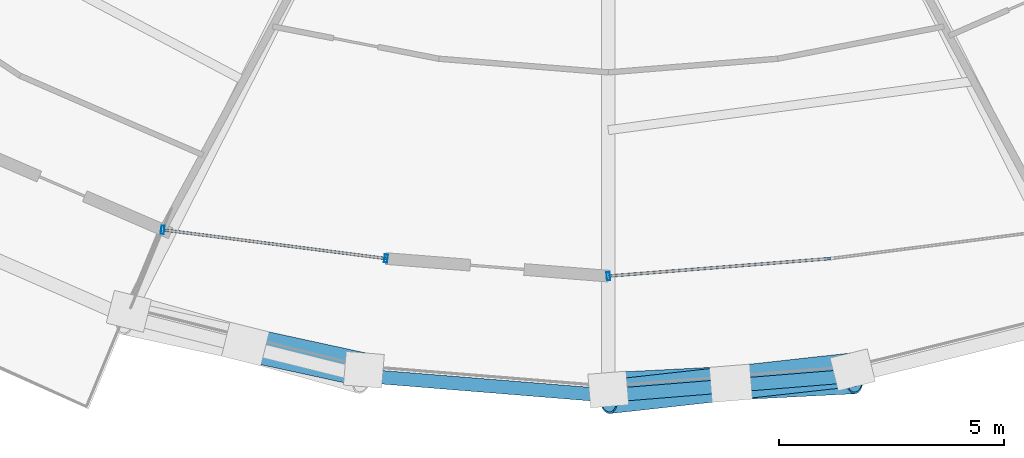
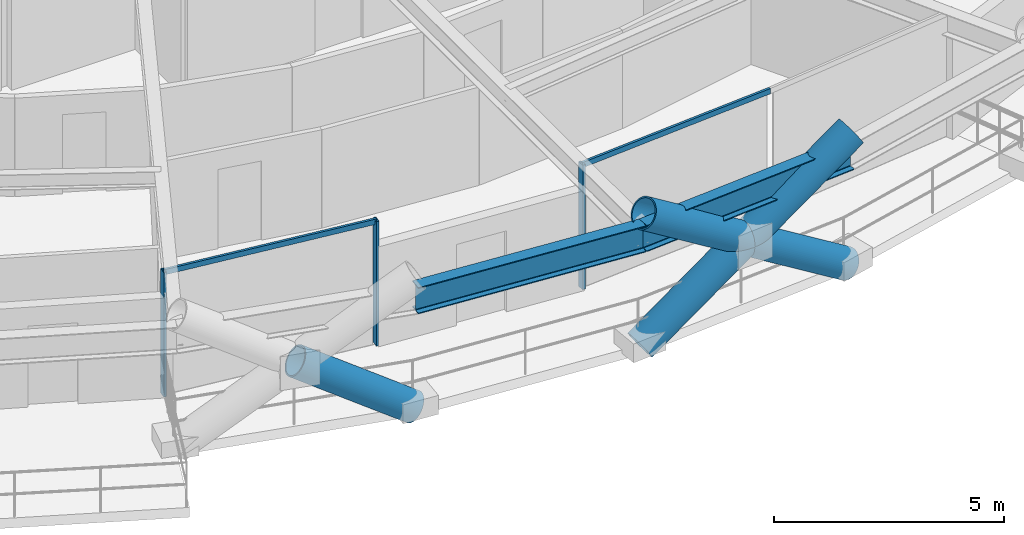
# One storey, part 2 of 13: 9 members, 2 beams, 2 elements without a shape of their own.
"""IFC4 building model written with IfcOpenShell, lengths in metres."""

from ifc_helpers import new_model, si_unit, direction, frame, origin, origin_2d, place, context, subcontext, project, spatial, hollow_rectangle, hollow_circle, i_section, extrude, material, layer, layer_set, material_profile, profile_set, type_object, element, aggregate, save


model = new_model("IFC4")

# Units and contexts
model_context = context("Model", 3, precision=1e-05, world=origin(), true_north=direction((0.0, 1.0)))
body_context = subcontext(model_context, "Body", "Model", "MODEL_VIEW")
ifc_project = project(units=[si_unit("LENGTHUNIT", "METRE"), si_unit("AREAUNIT", "SQUARE_METRE"), si_unit("VOLUMEUNIT", "CUBIC_METRE"), si_unit("PLANEANGLEUNIT", "RADIAN"), si_unit("MASSUNIT", "GRAM", prefix="KILO")], contexts=[model_context])

# Site, building, storey
site_placement = place(None, origin())
site = spatial("IfcSite", under=ifc_project, at=site_placement, CompositionType="ELEMENT")
building_placement = place(site_placement, origin())
building = spatial("IfcBuilding", under=site, at=building_placement, Name="Veldorina Hangang Commons", CompositionType="ELEMENT")
storey_placement = place(building_placement, frame((0.0, 0.0, 37.60009765625)))
storey = spatial("IfcBuildingStorey", under=building, at=storey_placement, Name="L08", CompositionType="ELEMENT", Elevation=37.60009765625)

# Beams
ifc_material_1 = material(Name="Steel SM460-TMC", Category="steel")
ifc_material_profile_1 = material_profile(ifc_material_1, i_section(OverallWidth=0.300048828125, OverallDepth=0.699951171875, WebThickness=0.012939453125, FlangeThickness=0.02392578125, FilletRadius=0.02197265625, at=origin_2d()), Name="H-700x300x13x24")
ifc_profile_set_1 = profile_set([ifc_material_profile_1], Name="Steel SM460-TMC")
beam_type = type_object("IfcBeamType", Name="BM-RB700", PredefinedType="BEAM", material=ifc_profile_set_1)
for number, where, z_axis, x_axis, name in (
    (1, (26.543701171875, 1.473388671875, 2.989990234375), (0.996743693077, -0.080635043943, 0.0), (0.080635043943, 0.996743693077, 0.0), "L08 perimeter hoop ring beam 23"),
    (2, (32.0, 1.031982421875, 2.989990234375), (0.996743693077, 0.080635043943, 0.0), (-0.080635043943, 0.996743693077, 0.0), "L08 perimeter hoop ring beam 24"),
):
    element("IfcBeam", number, at=place(storey_placement, frame(where, z_axis=z_axis, x_axis=x_axis)), inside=storey, type_object=beam_type, Name=name, PredefinedType="BEAM", context=body_context, shape_type="SweptSolid", body=[
        extrude(i_section(OverallWidth=0.300048828125, OverallDepth=0.699951171875, WebThickness=0.012939453125, FlangeThickness=0.02392578125, FilletRadius=0.02197265625, at=origin_2d()), origin(), (0.0, 0.0, 1.0), 5.47412109375),
    ])

# Curtain wall, members
ifc_material_2 = material(Name="Glass Low-E Triple IGU", Category="glass")
ifc_layer = layer(ifc_material_2, 0.179931640625)
ifc_layer_set = layer_set([ifc_layer], Name="Glass Low-E Triple IGU")
curtain_wall_type = type_object("IfcCurtainWallType", Name="CW-SYS-Z1", PredefinedType="NOTDEFINED", material=ifc_layer_set)
curtain_wall_1_placement = place(storey_placement, origin())
curtain_wall_1 = element("IfcCurtainWall", 3, at=curtain_wall_1_placement, inside=storey, type_object=curtain_wall_type, Name="L08 unitised curtain wall CW-L08-R1", PredefinedType="NOTDEFINED")
ifc_material_3 = material(Name="Aluminium Anodized AA6063-T6", Category="aluminium")
ifc_material_profile_2 = material_profile(ifc_material_3, hollow_rectangle(XDim=0.070068359375, YDim=0.179931640625, WallThickness=0.00390625, at=origin_2d()), Name="ALU-RHS-180x70x4")
ifc_profile_set_2 = profile_set([ifc_material_profile_2], Name="Aluminium Anodized AA6063-T6")
member_type_1 = type_object("IfcMemberType", Name="CW-MUL-180", PredefinedType="MULLION", material=ifc_profile_set_2)
member_1_placement = place(storey_placement, frame((22.098388671875, 4.715087890625, 0.0), z_axis=(0.0, 0.0, 1.0), x_axis=(0.991823321629, -0.127618567118, 0.0)))
member_1 = element("IfcMember", 4, at=member_1_placement, type_object=member_type_1, Name="CW-L08-R1 vertical mullion 1", PredefinedType="MULLION", context=body_context, shape_type="SweptSolid", body=[
    extrude(hollow_rectangle(XDim=0.070068359375, YDim=0.179931640625, WallThickness=0.00390625, at=origin_2d()), origin(), (0.0, 0.0, 1.0), 3.2998046875),
])
member_2_placement = place(storey_placement, frame((27.0615234375, 4.076416015625, 0.0), z_axis=(0.0, 0.0, 1.0), x_axis=(-0.991823321629, 0.127618567118, 0.0)))
member_2 = element("IfcMember", 5, at=member_2_placement, type_object=member_type_1, Name="CW-L08-R1 vertical mullion 2", PredefinedType="MULLION", context=body_context, shape_type="SweptSolid", body=[
    extrude(hollow_rectangle(XDim=0.070068359375, YDim=0.179931640625, WallThickness=0.00390625, at=origin_2d()), origin(), (0.0, 0.0, 1.0), 3.2998046875),
])

# Curtain wall, member
curtain_wall_2_placement = place(storey_placement, origin())
curtain_wall_2 = element("IfcCurtainWall", 6, at=curtain_wall_2_placement, inside=storey, type_object=curtain_wall_type, Name="L08 unitised curtain wall CW-L08-R2", PredefinedType="NOTDEFINED")
member_3_placement = place(storey_placement, frame((32.0, 3.686279296875, 0.0), z_axis=(0.0, 0.0, 1.0), x_axis=(0.996891260898, 0.078789681715, 0.0)))
member_3 = element("IfcMember", 7, at=member_3_placement, type_object=member_type_1, Name="CW-L08-R2 vertical mullion 1", PredefinedType="MULLION", context=body_context, shape_type="SweptSolid", body=[
    extrude(hollow_rectangle(XDim=0.070068359375, YDim=0.179931640625, WallThickness=0.00390625, at=origin_2d()), origin(), (0.0, 0.0, 1.0), 3.2998046875),
])

# Member
ifc_material_profile_3 = material_profile(ifc_material_3, hollow_rectangle(XDim=0.06005859375, YDim=0.139892578125, WallThickness=0.00341796875, at=origin_2d()), Name="ALU-RHS-140x60x3.5")
ifc_profile_set_3 = profile_set([ifc_material_profile_3], Name="Aluminium Anodized AA6063-T6")
member_type_2 = type_object("IfcMemberType", Name="CW-TRN-140", PredefinedType="USERDEFINED", material=ifc_profile_set_3)
member_4_placement = place(storey_placement, frame((22.098388671875, 4.715087890625, 3.260009765625), z_axis=(0.99182175278, -0.127630759274, 0.0), x_axis=(0.127630759274, 0.99182175278, 0.0)))
member_4 = element("IfcMember", 8, at=member_4_placement, type_object=member_type_2, Name="CW-L08-R1 facet 1 transom 1", ObjectType="TRANSOM", PredefinedType="USERDEFINED", context=body_context, shape_type="SweptSolid", body=[
    extrude(hollow_rectangle(XDim=0.06005859375, YDim=0.139892578125, WallThickness=0.00341796875, at=origin_2d()), origin(), (0.0, 0.0, 1.0), 5.004150390625),
])

aggregate(curtain_wall_1, [member_1, member_2, member_4])

member_5_placement = place(storey_placement, frame((32.0, 3.686279296875, 3.260009765625), z_axis=(0.996894077158, 0.078754040701, 0.0), x_axis=(-0.078754040701, 0.996894077158, 0.0)))
member_5 = element("IfcMember", 9, at=member_5_placement, type_object=member_type_2, Name="CW-L08-R2 facet 1 transom 1", ObjectType="TRANSOM", PredefinedType="USERDEFINED", context=body_context, shape_type="SweptSolid", body=[
    extrude(hollow_rectangle(XDim=0.06005859375, YDim=0.139892578125, WallThickness=0.00341796875, at=origin_2d()), origin(), (0.0, 0.0, 1.0), 4.953857421875),
])

aggregate(curtain_wall_2, [member_3, member_5])

# Members
ifc_material_profile_4 = material_profile(ifc_material_1, hollow_circle(Radius=0.375, WallThickness=0.035888671875, at=origin_2d()), Name="CHS-750x36")
ifc_profile_set_4 = profile_set([ifc_material_profile_4], Name="Steel SM460-TMC")
member_type_3 = type_object("IfcMemberType", Name="DG-CHS750", PredefinedType="BRACE", material=ifc_profile_set_4)
member_6_placement = place(storey_placement, frame((26.56982421875, 1.60498046875, 0.0), z_axis=(-0.81339302842, 0.176791792719, 0.554198920374), x_axis=(-0.212392041956, -0.977184537595, 0.0)))
element("IfcMember", 10, at=member_6_placement, inside=storey, type_object=member_type_3, Name="L08 split perimeter diagrid lower brace 23", PredefinedType="BRACE", context=body_context, shape_type="SweptSolid", body=[
    extrude(hollow_circle(Radius=0.375, WallThickness=0.035888671875, at=origin_2d()), origin(), (0.0, 0.0, 1.0), 3.23828125),
])
member_7_placement = place(storey_placement, frame((32.0, 1.166259765625, 0.0), z_axis=(0.834184657462, 0.042807383969, 0.549821321097), x_axis=(-0.051249001861, 0.998685906483, 0.0)))
element("IfcMember", 11, at=member_7_placement, inside=storey, type_object=member_type_3, Name="L08 continuous perimeter diagrid brace 24", PredefinedType="BRACE", context=body_context, shape_type="SweptSolid", body=[
    extrude(hollow_circle(Radius=0.375, WallThickness=0.035888671875, at=origin_2d()), origin(), (0.0, 0.0, 1.0), 6.54736328125),
])
member_8_placement = place(storey_placement, frame((37.43017578125, 1.60498046875, 0.0), z_axis=(-0.829982078721, -0.091687983266, 0.550202746927), x_axis=(0.109801878411, -0.993953493629, 0.0)))
element("IfcMember", 12, at=member_8_placement, inside=storey, type_object=member_type_3, Name="L08 split perimeter diagrid lower brace 25", PredefinedType="BRACE", context=body_context, shape_type="SweptSolid", body=[
    extrude(hollow_circle(Radius=0.375, WallThickness=0.035888671875, at=origin_2d()), origin(), (0.0, 0.0, 1.0), 3.261962890625),
])
member_9_placement = place(storey_placement, frame((34.722900390625, 1.305908203125, 1.794677734375), z_axis=(-0.829951641437, -0.091828236845, 0.550225270043), x_axis=(0.109971795033, -0.993934708267, 0.0)))
element("IfcMember", 13, at=member_9_placement, inside=storey, type_object=member_type_3, Name="L08 split perimeter diagrid upper brace 25", PredefinedType="BRACE", context=body_context, shape_type="SweptSolid", body=[
    extrude(hollow_circle(Radius=0.375, WallThickness=0.035888671875, at=origin_2d()), origin(), (0.0, 0.0, 1.0), 3.28076171875),
])

save(model, "model.ifc")
